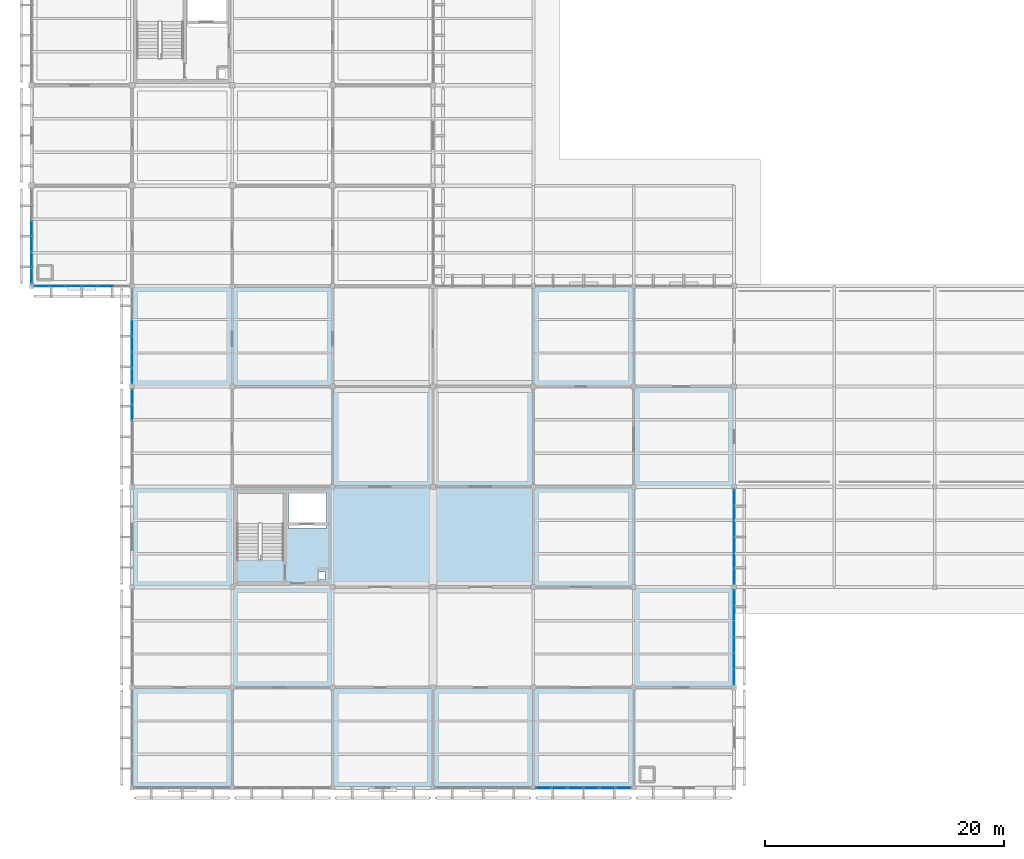
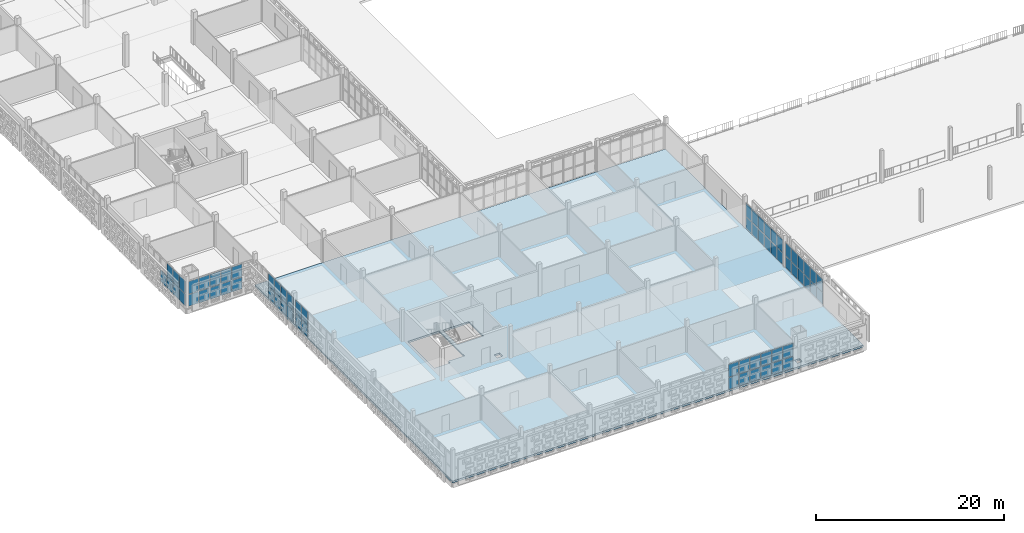
# One storey, part 77 of 166: 65 plates, 1 slab, 7 elements without a shape of their own.
"""IFC4 building model written with IfcOpenShell, lengths in metres."""

from ifc_helpers import new_model, si_unit, direction, frame, origin, origin_2d, place, context, subcontext, project, spatial, polyline, rectangle, outline, extrude, material, layer, layer_set, type_object, element, aggregate, save


model = new_model("IFC4")

# Units and contexts
model_context = context("Model", 3, precision=1e-05, world=origin(), true_north=direction((0.0, 1.0)))
body_context = subcontext(model_context, "Body", "Model", "MODEL_VIEW")
ifc_project = project(units=[si_unit("LENGTHUNIT", "METRE"), si_unit("AREAUNIT", "SQUARE_METRE"), si_unit("VOLUMEUNIT", "CUBIC_METRE"), si_unit("PLANEANGLEUNIT", "RADIAN"), si_unit("MASSUNIT", "GRAM", prefix="KILO")], contexts=[model_context])

# Site, building, storey
site_placement = place(None, origin())
site = spatial("IfcSite", under=ifc_project, at=site_placement, CompositionType="ELEMENT")
building_placement = place(site_placement, origin())
building = spatial("IfcBuilding", under=site, at=building_placement, Name="Varnapada Polytechnic", CompositionType="ELEMENT")
storey_placement = place(building_placement, frame((0.0, 0.0, 9.60009765625)))
storey = spatial("IfcBuildingStorey", under=building, at=storey_placement, Name="L02", CompositionType="ELEMENT", Elevation=9.60009765625)

# Curtain wall, plates
ifc_material_1 = material(Name="Double low-E laminated glass", Category="glass")
ifc_layer_1 = layer(ifc_material_1, 0.179931640625)
ifc_layer_set_1 = layer_set([ifc_layer_1], Name="Double low-E laminated glass")
curtain_wall_type_1 = type_object("IfcCurtainWallType", Name="Curtain Wall CW-03", PredefinedType="NOTDEFINED", material=ifc_layer_set_1)
curtain_wall_1_placement = place(storey_placement, origin())
curtain_wall_1 = element("IfcCurtainWall", 1, at=curtain_wall_1_placement, inside=storey, type_object=curtain_wall_type_1, Name="L02 unitised curtain wall CW-03 (128)", PredefinedType="NOTDEFINED")
ifc_layer_2 = layer(ifc_material_1, 0.031982421875)
ifc_layer_set_2 = layer_set([ifc_layer_2], Name="Double low-E laminated glass")
plate_type = type_object("IfcPlateType", Name="Curtain Panel PNL-02", PredefinedType="CURTAIN_PANEL", material=ifc_layer_set_2)
plate_1_placement = place(storey_placement, frame((6.197509765625, 42.0, 0.06494140625), z_axis=(0.0, 0.0, 1.0), x_axis=(-1.0, 0.0, 0.0)))
plate_1 = element("IfcPlate", 2, at=plate_1_placement, type_object=plate_type, Name="CW-03 panel 2.1", PredefinedType="CURTAIN_PANEL", context=body_context, shape_type="SweptSolid", body=[
    extrude(rectangle(XDim=1.27001953125, YDim=0.031982421875, at=origin_2d()), origin(), (0.0, 0.0, 1.0), 1.515380859375),
])
plate_2_placement = place(storey_placement, frame((6.197509765625, 42.0, 1.64501953125), z_axis=(0.0, 0.0, 1.0), x_axis=(-1.0, 0.0, 0.0)))
plate_2 = element("IfcPlate", 3, at=plate_2_placement, type_object=plate_type, Name="CW-03 panel 2.2", PredefinedType="CURTAIN_PANEL", context=body_context, shape_type="SweptSolid", body=[
    extrude(rectangle(XDim=1.27001953125, YDim=0.031982421875, at=origin_2d()), origin(), (0.0, 0.0, 1.0), 1.649658203125),
])
plate_3_placement = place(storey_placement, frame((4.862548828125, 42.0, 0.06494140625), z_axis=(0.0, 0.0, 1.0), x_axis=(-1.0, 0.0, 0.0)))
plate_3 = element("IfcPlate", 4, at=plate_3_placement, type_object=plate_type, Name="CW-03 panel 3.1", PredefinedType="CURTAIN_PANEL", context=body_context, shape_type="SweptSolid", body=[
    extrude(rectangle(XDim=1.27001953125, YDim=0.031982421875, at=origin_2d()), origin(), (0.0, 0.0, 1.0), 1.515380859375),
])
plate_4_placement = place(storey_placement, frame((4.862548828125, 42.0, 1.64501953125), z_axis=(0.0, 0.0, 1.0), x_axis=(-1.0, 0.0, 0.0)))
plate_4 = element("IfcPlate", 5, at=plate_4_placement, type_object=plate_type, Name="CW-03 panel 3.2", PredefinedType="CURTAIN_PANEL", context=body_context, shape_type="SweptSolid", body=[
    extrude(rectangle(XDim=1.27001953125, YDim=0.031982421875, at=origin_2d()), origin(), (0.0, 0.0, 1.0), 1.649658203125),
])
plate_5_placement = place(storey_placement, frame((3.527587890625, 42.0, 0.06494140625), z_axis=(0.0, 0.0, 1.0), x_axis=(-1.0, 0.0, 0.0)))
plate_5 = element("IfcPlate", 6, at=plate_5_placement, type_object=plate_type, Name="CW-03 panel 4.1", PredefinedType="CURTAIN_PANEL", context=body_context, shape_type="SweptSolid", body=[
    extrude(rectangle(XDim=1.27001953125, YDim=0.031982421875, at=origin_2d()), origin(), (0.0, 0.0, 1.0), 1.515380859375),
])
plate_6_placement = place(storey_placement, frame((3.527587890625, 42.0, 1.64501953125), z_axis=(0.0, 0.0, 1.0), x_axis=(-1.0, 0.0, 0.0)))
plate_6 = element("IfcPlate", 7, at=plate_6_placement, type_object=plate_type, Name="CW-03 panel 4.2", PredefinedType="CURTAIN_PANEL", context=body_context, shape_type="SweptSolid", body=[
    extrude(rectangle(XDim=1.27001953125, YDim=0.031982421875, at=origin_2d()), origin(), (0.0, 0.0, 1.0), 1.649658203125),
])
plate_7_placement = place(storey_placement, frame((2.1923828125, 42.0, 0.06494140625), z_axis=(0.0, 0.0, 1.0), x_axis=(-1.0, 0.0, 0.0)))
plate_7 = element("IfcPlate", 8, at=plate_7_placement, type_object=plate_type, Name="CW-03 panel 5.1", PredefinedType="CURTAIN_PANEL", context=body_context, shape_type="SweptSolid", body=[
    extrude(rectangle(XDim=1.27001953125, YDim=0.031982421875, at=origin_2d()), origin(), (0.0, 0.0, 1.0), 1.515380859375),
])
plate_8_placement = place(storey_placement, frame((2.1923828125, 42.0, 1.64501953125), z_axis=(0.0, 0.0, 1.0), x_axis=(-1.0, 0.0, 0.0)))
plate_8 = element("IfcPlate", 9, at=plate_8_placement, type_object=plate_type, Name="CW-03 panel 5.2", PredefinedType="CURTAIN_PANEL", context=body_context, shape_type="SweptSolid", body=[
    extrude(rectangle(XDim=1.27001953125, YDim=0.031982421875, at=origin_2d()), origin(), (0.0, 0.0, 1.0), 1.649658203125),
])
plate_9_placement = place(storey_placement, frame((0.873779296875, 42.0, 0.06494140625), z_axis=(0.0, 0.0, 1.0), x_axis=(-1.0, 0.0, 0.0)))
plate_9 = element("IfcPlate", 10, at=plate_9_placement, type_object=plate_type, Name="CW-03 panel 6.1", PredefinedType="CURTAIN_PANEL", context=body_context, shape_type="SweptSolid", body=[
    extrude(rectangle(XDim=1.237548828125, YDim=0.031982421875, at=origin_2d()), origin(), (0.0, 0.0, 1.0), 1.515380859375),
])
plate_10_placement = place(storey_placement, frame((0.873779296875, 42.0, 1.64501953125), z_axis=(0.0, 0.0, 1.0), x_axis=(-1.0, 0.0, 0.0)))
plate_10 = element("IfcPlate", 11, at=plate_10_placement, type_object=plate_type, Name="CW-03 panel 6.2", PredefinedType="CURTAIN_PANEL", context=body_context, shape_type="SweptSolid", body=[
    extrude(rectangle(XDim=1.237548828125, YDim=0.031982421875, at=origin_2d()), origin(), (0.0, 0.0, 1.0), 1.649658203125),
])
aggregate(curtain_wall_1, [plate_1, plate_2, plate_3, plate_4, plate_5, plate_6, plate_7, plate_8, plate_9, plate_10])

curtain_wall_2_placement = place(storey_placement, origin())
curtain_wall_2 = element("IfcCurtainWall", 12, at=curtain_wall_2_placement, inside=storey, type_object=curtain_wall_type_1, Name="L02 unitised curtain wall CW-03 (129)", PredefinedType="NOTDEFINED")
plate_11_placement = place(storey_placement, frame((0.0, 42.86962890625, 0.06494140625), z_axis=(0.0, 0.0, 1.0), x_axis=(0.0, 1.0, 0.0)))
plate_11 = element("IfcPlate", 13, at=plate_11_placement, type_object=plate_type, Name="CW-03 panel 1.1", PredefinedType="CURTAIN_PANEL", context=body_context, shape_type="SweptSolid", body=[
    extrude(rectangle(XDim=1.229248046875, YDim=0.031982421875, at=origin_2d()), origin(), (0.0, 0.0, 1.0), 1.515380859375),
])
plate_12_placement = place(storey_placement, frame((0.0, 42.86962890625, 1.64501953125), z_axis=(0.0, 0.0, 1.0), x_axis=(0.0, 1.0, 0.0)))
plate_12 = element("IfcPlate", 14, at=plate_12_placement, type_object=plate_type, Name="CW-03 panel 1.2", PredefinedType="CURTAIN_PANEL", context=body_context, shape_type="SweptSolid", body=[
    extrude(rectangle(XDim=1.229248046875, YDim=0.031982421875, at=origin_2d()), origin(), (0.0, 0.0, 1.0), 1.649658203125),
])
plate_13_placement = place(storey_placement, frame((0.0, 44.179931640625, 0.06494140625), z_axis=(0.0, 0.0, 1.0), x_axis=(0.0, 1.0, 0.0)))
plate_13 = element("IfcPlate", 15, at=plate_13_placement, type_object=plate_type, Name="CW-03 panel 2.1", PredefinedType="CURTAIN_PANEL", context=body_context, shape_type="SweptSolid", body=[
    extrude(rectangle(XDim=1.26171875, YDim=0.031982421875, at=origin_2d()), origin(), (0.0, 0.0, 1.0), 1.515380859375),
])
plate_14_placement = place(storey_placement, frame((0.0, 44.179931640625, 1.64501953125), z_axis=(0.0, 0.0, 1.0), x_axis=(0.0, 1.0, 0.0)))
plate_14 = element("IfcPlate", 16, at=plate_14_placement, type_object=plate_type, Name="CW-03 panel 2.2", PredefinedType="CURTAIN_PANEL", context=body_context, shape_type="SweptSolid", body=[
    extrude(rectangle(XDim=1.26171875, YDim=0.031982421875, at=origin_2d()), origin(), (0.0, 0.0, 1.0), 1.649658203125),
])
plate_15_placement = place(storey_placement, frame((0.0, 45.506591796875, 0.06494140625), z_axis=(0.0, 0.0, 1.0), x_axis=(0.0, 1.0, 0.0)))
plate_15 = element("IfcPlate", 17, at=plate_15_placement, type_object=plate_type, Name="CW-03 panel 3.1", PredefinedType="CURTAIN_PANEL", context=body_context, shape_type="SweptSolid", body=[
    extrude(rectangle(XDim=1.26171875, YDim=0.031982421875, at=origin_2d()), origin(), (0.0, 0.0, 1.0), 1.515380859375),
])
plate_16_placement = place(storey_placement, frame((0.0, 45.506591796875, 1.64501953125), z_axis=(0.0, 0.0, 1.0), x_axis=(0.0, 1.0, 0.0)))
plate_16 = element("IfcPlate", 18, at=plate_16_placement, type_object=plate_type, Name="CW-03 panel 3.2", PredefinedType="CURTAIN_PANEL", context=body_context, shape_type="SweptSolid", body=[
    extrude(rectangle(XDim=1.26171875, YDim=0.031982421875, at=origin_2d()), origin(), (0.0, 0.0, 1.0), 1.649658203125),
])
plate_17_placement = place(storey_placement, frame((0.0, 46.833251953125, 0.06494140625), z_axis=(0.0, 0.0, 1.0), x_axis=(0.0, 1.0, 0.0)))
plate_17 = element("IfcPlate", 19, at=plate_17_placement, type_object=plate_type, Name="CW-03 panel 4.1", PredefinedType="CURTAIN_PANEL", context=body_context, shape_type="SweptSolid", body=[
    extrude(rectangle(XDim=1.26171875, YDim=0.031982421875, at=origin_2d()), origin(), (0.0, 0.0, 1.0), 1.515380859375),
])
aggregate(curtain_wall_2, [plate_11, plate_12, plate_13, plate_14, plate_15, plate_16, plate_17])

curtain_wall_3_placement = place(storey_placement, origin())
curtain_wall_3 = element("IfcCurtainWall", 20, at=curtain_wall_3_placement, inside=storey, type_object=curtain_wall_type_1, Name="L02 unitised curtain wall CW-03 (139)", PredefinedType="NOTDEFINED")
plate_18_placement = place(storey_placement, frame((8.39990234375, 31.39501953125, 0.06494140625), z_axis=(0.0, 0.0, 1.0), x_axis=(0.0, 1.0, 0.0)))
plate_18 = element("IfcPlate", 21, at=plate_18_placement, type_object=plate_type, Name="CW-03 panel 5.1", PredefinedType="CURTAIN_PANEL", context=body_context, shape_type="SweptSolid", body=[
    extrude(rectangle(XDim=1.264892578125, YDim=0.031982421875, at=origin_2d()), origin(), (0.0, 0.0, 1.0), 1.515380859375),
])
plate_19_placement = place(storey_placement, frame((8.39990234375, 31.39501953125, 1.64501953125), z_axis=(0.0, 0.0, 1.0), x_axis=(0.0, 1.0, 0.0)))
plate_19 = element("IfcPlate", 22, at=plate_19_placement, type_object=plate_type, Name="CW-03 panel 5.2", PredefinedType="CURTAIN_PANEL", context=body_context, shape_type="SweptSolid", body=[
    extrude(rectangle(XDim=1.264892578125, YDim=0.031982421875, at=origin_2d()), origin(), (0.0, 0.0, 1.0), 1.649658203125),
])
plate_20_placement = place(storey_placement, frame((8.39990234375, 32.708740234375, 0.06494140625), z_axis=(0.0, 0.0, 1.0), x_axis=(0.0, 1.0, 0.0)))
plate_20 = element("IfcPlate", 23, at=plate_20_placement, type_object=plate_type, Name="CW-03 panel 6.1", PredefinedType="CURTAIN_PANEL", context=body_context, shape_type="SweptSolid", body=[
    extrude(rectangle(XDim=1.232421875, YDim=0.031982421875, at=origin_2d()), origin(), (0.0, 0.0, 1.0), 1.515380859375),
])
plate_21_placement = place(storey_placement, frame((8.39990234375, 32.708740234375, 1.64501953125), z_axis=(0.0, 0.0, 1.0), x_axis=(0.0, 1.0, 0.0)))
plate_21 = element("IfcPlate", 24, at=plate_21_placement, type_object=plate_type, Name="CW-03 panel 6.2", PredefinedType="CURTAIN_PANEL", context=body_context, shape_type="SweptSolid", body=[
    extrude(rectangle(XDim=1.232421875, YDim=0.031982421875, at=origin_2d()), origin(), (0.0, 0.0, 1.0), 1.649658203125),
])
aggregate(curtain_wall_3, [plate_18, plate_19, plate_20, plate_21])

curtain_wall_4_placement = place(storey_placement, origin())
curtain_wall_4 = element("IfcCurtainWall", 25, at=curtain_wall_4_placement, inside=storey, type_object=curtain_wall_type_1, Name="L02 unitised curtain wall CW-03 (140)", PredefinedType="NOTDEFINED")
plate_22_placement = place(storey_placement, frame((8.39990234375, 34.4921875, 0.06494140625), z_axis=(0.0, 0.0, 1.0), x_axis=(0.0, 1.0, 0.0)))
plate_22 = element("IfcPlate", 26, at=plate_22_placement, type_object=plate_type, Name="CW-03 panel 1.1", PredefinedType="CURTAIN_PANEL", context=body_context, shape_type="SweptSolid", body=[
    extrude(rectangle(XDim=1.234130859375, YDim=0.031982421875, at=origin_2d()), origin(), (0.0, 0.0, 1.0), 1.515380859375),
])
plate_23_placement = place(storey_placement, frame((8.39990234375, 34.4921875, 1.64501953125), z_axis=(0.0, 0.0, 1.0), x_axis=(0.0, 1.0, 0.0)))
plate_23 = element("IfcPlate", 27, at=plate_23_placement, type_object=plate_type, Name="CW-03 panel 1.2", PredefinedType="CURTAIN_PANEL", context=body_context, shape_type="SweptSolid", body=[
    extrude(rectangle(XDim=1.234130859375, YDim=0.031982421875, at=origin_2d()), origin(), (0.0, 0.0, 1.0), 1.649658203125),
])
plate_24_placement = place(storey_placement, frame((8.39990234375, 35.8076171875, 0.06494140625), z_axis=(0.0, 0.0, 1.0), x_axis=(0.0, 1.0, 0.0)))
plate_24 = element("IfcPlate", 28, at=plate_24_placement, type_object=plate_type, Name="CW-03 panel 2.1", PredefinedType="CURTAIN_PANEL", context=body_context, shape_type="SweptSolid", body=[
    extrude(rectangle(XDim=1.2666015625, YDim=0.031982421875, at=origin_2d()), origin(), (0.0, 0.0, 1.0), 1.515380859375),
])
plate_25_placement = place(storey_placement, frame((8.39990234375, 35.8076171875, 1.64501953125), z_axis=(0.0, 0.0, 1.0), x_axis=(0.0, 1.0, 0.0)))
plate_25 = element("IfcPlate", 29, at=plate_25_placement, type_object=plate_type, Name="CW-03 panel 2.2", PredefinedType="CURTAIN_PANEL", context=body_context, shape_type="SweptSolid", body=[
    extrude(rectangle(XDim=1.2666015625, YDim=0.031982421875, at=origin_2d()), origin(), (0.0, 0.0, 1.0), 1.649658203125),
])
plate_26_placement = place(storey_placement, frame((8.39990234375, 37.13916015625, 0.06494140625), z_axis=(0.0, 0.0, 1.0), x_axis=(0.0, 1.0, 0.0)))
plate_26 = element("IfcPlate", 30, at=plate_26_placement, type_object=plate_type, Name="CW-03 panel 3.1", PredefinedType="CURTAIN_PANEL", context=body_context, shape_type="SweptSolid", body=[
    extrude(rectangle(XDim=1.2666015625, YDim=0.031982421875, at=origin_2d()), origin(), (0.0, 0.0, 1.0), 1.515380859375),
])
plate_27_placement = place(storey_placement, frame((8.39990234375, 37.13916015625, 1.64501953125), z_axis=(0.0, 0.0, 1.0), x_axis=(0.0, 1.0, 0.0)))
plate_27 = element("IfcPlate", 31, at=plate_27_placement, type_object=plate_type, Name="CW-03 panel 3.2", PredefinedType="CURTAIN_PANEL", context=body_context, shape_type="SweptSolid", body=[
    extrude(rectangle(XDim=1.2666015625, YDim=0.031982421875, at=origin_2d()), origin(), (0.0, 0.0, 1.0), 1.649658203125),
])
plate_28_placement = place(storey_placement, frame((8.39990234375, 38.470947265625, 0.06494140625), z_axis=(0.0, 0.0, 1.0), x_axis=(0.0, 1.0, 0.0)))
plate_28 = element("IfcPlate", 32, at=plate_28_placement, type_object=plate_type, Name="CW-03 panel 4.1", PredefinedType="CURTAIN_PANEL", context=body_context, shape_type="SweptSolid", body=[
    extrude(rectangle(XDim=1.2666015625, YDim=0.031982421875, at=origin_2d()), origin(), (0.0, 0.0, 1.0), 1.515380859375),
])
plate_29_placement = place(storey_placement, frame((8.39990234375, 38.470947265625, 1.64501953125), z_axis=(0.0, 0.0, 1.0), x_axis=(0.0, 1.0, 0.0)))
plate_29 = element("IfcPlate", 33, at=plate_29_placement, type_object=plate_type, Name="CW-03 panel 4.2", PredefinedType="CURTAIN_PANEL", context=body_context, shape_type="SweptSolid", body=[
    extrude(rectangle(XDim=1.2666015625, YDim=0.031982421875, at=origin_2d()), origin(), (0.0, 0.0, 1.0), 1.649658203125),
])
aggregate(curtain_wall_4, [plate_22, plate_23, plate_24, plate_25, plate_26, plate_27, plate_28, plate_29])

curtain_wall_5_placement = place(storey_placement, origin())
curtain_wall_5 = element("IfcCurtainWall", 34, at=curtain_wall_5_placement, inside=storey, type_object=curtain_wall_type_1, Name="L02 unitised curtain wall CW-03 (153)", PredefinedType="NOTDEFINED")
plate_30_placement = place(storey_placement, frame((49.53369140625, 0.0, 0.06494140625), z_axis=(0.0, 0.0, 1.0), x_axis=(-1.0, 0.0, 0.0)))
plate_30 = element("IfcPlate", 35, at=plate_30_placement, type_object=plate_type, Name="CW-03 panel 1.1", PredefinedType="CURTAIN_PANEL", context=body_context, shape_type="SweptSolid", body=[
    extrude(rectangle(XDim=1.242431640625, YDim=0.031982421875, at=origin_2d()), origin(), (0.0, 0.0, 1.0), 1.515380859375),
])
plate_31_placement = place(storey_placement, frame((49.53369140625, 0.0, 1.64501953125), z_axis=(0.0, 0.0, 1.0), x_axis=(-1.0, 0.0, 0.0)))
plate_31 = element("IfcPlate", 36, at=plate_31_placement, type_object=plate_type, Name="CW-03 panel 1.2", PredefinedType="CURTAIN_PANEL", context=body_context, shape_type="SweptSolid", body=[
    extrude(rectangle(XDim=1.242431640625, YDim=0.031982421875, at=origin_2d()), origin(), (0.0, 0.0, 1.0), 1.649658203125),
])
plate_32_placement = place(storey_placement, frame((48.2099609375, 0.0, 0.06494140625), z_axis=(0.0, 0.0, 1.0), x_axis=(-1.0, 0.0, 0.0)))
plate_32 = element("IfcPlate", 37, at=plate_32_placement, type_object=plate_type, Name="CW-03 panel 2.1", PredefinedType="CURTAIN_PANEL", context=body_context, shape_type="SweptSolid", body=[
    extrude(rectangle(XDim=1.27490234375, YDim=0.031982421875, at=origin_2d()), origin(), (0.0, 0.0, 1.0), 1.515380859375),
])
plate_33_placement = place(storey_placement, frame((48.2099609375, 0.0, 1.64501953125), z_axis=(0.0, 0.0, 1.0), x_axis=(-1.0, 0.0, 0.0)))
plate_33 = element("IfcPlate", 38, at=plate_33_placement, type_object=plate_type, Name="CW-03 panel 2.2", PredefinedType="CURTAIN_PANEL", context=body_context, shape_type="SweptSolid", body=[
    extrude(rectangle(XDim=1.27490234375, YDim=0.031982421875, at=origin_2d()), origin(), (0.0, 0.0, 1.0), 1.649658203125),
])
plate_34_placement = place(storey_placement, frame((46.8701171875, 0.0, 0.06494140625), z_axis=(0.0, 0.0, 1.0), x_axis=(-1.0, 0.0, 0.0)))
plate_34 = element("IfcPlate", 39, at=plate_34_placement, type_object=plate_type, Name="CW-03 panel 3.1", PredefinedType="CURTAIN_PANEL", context=body_context, shape_type="SweptSolid", body=[
    extrude(rectangle(XDim=1.27490234375, YDim=0.031982421875, at=origin_2d()), origin(), (0.0, 0.0, 1.0), 1.515380859375),
])
plate_35_placement = place(storey_placement, frame((46.8701171875, 0.0, 1.64501953125), z_axis=(0.0, 0.0, 1.0), x_axis=(-1.0, 0.0, 0.0)))
plate_35 = element("IfcPlate", 40, at=plate_35_placement, type_object=plate_type, Name="CW-03 panel 3.2", PredefinedType="CURTAIN_PANEL", context=body_context, shape_type="SweptSolid", body=[
    extrude(rectangle(XDim=1.27490234375, YDim=0.031982421875, at=origin_2d()), origin(), (0.0, 0.0, 1.0), 1.649658203125),
])
plate_36_placement = place(storey_placement, frame((45.530029296875, 0.0, 0.06494140625), z_axis=(0.0, 0.0, 1.0), x_axis=(-1.0, 0.0, 0.0)))
plate_36 = element("IfcPlate", 41, at=plate_36_placement, type_object=plate_type, Name="CW-03 panel 4.1", PredefinedType="CURTAIN_PANEL", context=body_context, shape_type="SweptSolid", body=[
    extrude(rectangle(XDim=1.27490234375, YDim=0.031982421875, at=origin_2d()), origin(), (0.0, 0.0, 1.0), 1.515380859375),
])
plate_37_placement = place(storey_placement, frame((45.530029296875, 0.0, 1.64501953125), z_axis=(0.0, 0.0, 1.0), x_axis=(-1.0, 0.0, 0.0)))
plate_37 = element("IfcPlate", 42, at=plate_37_placement, type_object=plate_type, Name="CW-03 panel 4.2", PredefinedType="CURTAIN_PANEL", context=body_context, shape_type="SweptSolid", body=[
    extrude(rectangle(XDim=1.27490234375, YDim=0.031982421875, at=origin_2d()), origin(), (0.0, 0.0, 1.0), 1.649658203125),
])
plate_38_placement = place(storey_placement, frame((44.18994140625, 0.0, 0.06494140625), z_axis=(0.0, 0.0, 1.0), x_axis=(-1.0, 0.0, 0.0)))
plate_38 = element("IfcPlate", 43, at=plate_38_placement, type_object=plate_type, Name="CW-03 panel 5.1", PredefinedType="CURTAIN_PANEL", context=body_context, shape_type="SweptSolid", body=[
    extrude(rectangle(XDim=1.27490234375, YDim=0.031982421875, at=origin_2d()), origin(), (0.0, 0.0, 1.0), 1.515380859375),
])
plate_39_placement = place(storey_placement, frame((44.18994140625, 0.0, 1.64501953125), z_axis=(0.0, 0.0, 1.0), x_axis=(-1.0, 0.0, 0.0)))
plate_39 = element("IfcPlate", 44, at=plate_39_placement, type_object=plate_type, Name="CW-03 panel 5.2", PredefinedType="CURTAIN_PANEL", context=body_context, shape_type="SweptSolid", body=[
    extrude(rectangle(XDim=1.27490234375, YDim=0.031982421875, at=origin_2d()), origin(), (0.0, 0.0, 1.0), 1.649658203125),
])
plate_40_placement = place(storey_placement, frame((42.8662109375, 0.0, 0.06494140625), z_axis=(0.0, 0.0, 1.0), x_axis=(-1.0, 0.0, 0.0)))
plate_40 = element("IfcPlate", 45, at=plate_40_placement, type_object=plate_type, Name="CW-03 panel 6.1", PredefinedType="CURTAIN_PANEL", context=body_context, shape_type="SweptSolid", body=[
    extrude(rectangle(XDim=1.242431640625, YDim=0.031982421875, at=origin_2d()), origin(), (0.0, 0.0, 1.0), 1.515380859375),
])
plate_41_placement = place(storey_placement, frame((42.8662109375, 0.0, 1.64501953125), z_axis=(0.0, 0.0, 1.0), x_axis=(-1.0, 0.0, 0.0)))
plate_41 = element("IfcPlate", 46, at=plate_41_placement, type_object=plate_type, Name="CW-03 panel 6.2", PredefinedType="CURTAIN_PANEL", context=body_context, shape_type="SweptSolid", body=[
    extrude(rectangle(XDim=1.242431640625, YDim=0.031982421875, at=origin_2d()), origin(), (0.0, 0.0, 1.0), 1.649658203125),
])
aggregate(curtain_wall_5, [plate_30, plate_31, plate_32, plate_33, plate_34, plate_35, plate_36, plate_37, plate_38, plate_39, plate_40, plate_41])

ifc_layer_3 = layer(ifc_material_1, 0.179931640625)
ifc_layer_set_3 = layer_set([ifc_layer_3], Name="Double low-E laminated glass")
curtain_wall_type_2 = type_object("IfcCurtainWallType", Name="Curtain Wall CW-04", PredefinedType="NOTDEFINED", material=ifc_layer_set_3)
curtain_wall_6_placement = place(storey_placement, origin())
curtain_wall_6 = element("IfcCurtainWall", 47, at=curtain_wall_6_placement, inside=storey, type_object=curtain_wall_type_2, Name="L02 unitised curtain wall CW-04 (155)", PredefinedType="NOTDEFINED")
plate_42_placement = place(storey_placement, frame((58.800048828125, 15.9169921875, 0.06494140625), z_axis=(0.0, 0.0, 1.0), x_axis=(0.0, -1.0, 0.0)))
plate_42 = element("IfcPlate", 48, at=plate_42_placement, type_object=plate_type, Name="CW-04 panel 1.1", PredefinedType="CURTAIN_PANEL", context=body_context, shape_type="SweptSolid", body=[
    extrude(rectangle(XDim=1.23583984375, YDim=0.031982421875, at=origin_2d()), origin(), (0.0, 0.0, 1.0), 1.515380859375),
])
plate_43_placement = place(storey_placement, frame((58.800048828125, 15.9169921875, 1.64501953125), z_axis=(0.0, 0.0, 1.0), x_axis=(0.0, -1.0, 0.0)))
plate_43 = element("IfcPlate", 49, at=plate_43_placement, type_object=plate_type, Name="CW-04 panel 1.2", PredefinedType="CURTAIN_PANEL", context=body_context, shape_type="SweptSolid", body=[
    extrude(rectangle(XDim=1.23583984375, YDim=0.031982421875, at=origin_2d()), origin(), (0.0, 0.0, 1.0), 1.649658203125),
])
plate_44_placement = place(storey_placement, frame((58.800048828125, 14.60009765625, 0.06494140625), z_axis=(0.0, 0.0, 1.0), x_axis=(0.0, -1.0, 0.0)))
plate_44 = element("IfcPlate", 50, at=plate_44_placement, type_object=plate_type, Name="CW-04 panel 2.1", PredefinedType="CURTAIN_PANEL", context=body_context, shape_type="SweptSolid", body=[
    extrude(rectangle(XDim=1.268310546875, YDim=0.031982421875, at=origin_2d()), origin(), (0.0, 0.0, 1.0), 1.515380859375),
])
plate_45_placement = place(storey_placement, frame((58.800048828125, 14.60009765625, 1.64501953125), z_axis=(0.0, 0.0, 1.0), x_axis=(0.0, -1.0, 0.0)))
plate_45 = element("IfcPlate", 51, at=plate_45_placement, type_object=plate_type, Name="CW-04 panel 2.2", PredefinedType="CURTAIN_PANEL", context=body_context, shape_type="SweptSolid", body=[
    extrude(rectangle(XDim=1.268310546875, YDim=0.031982421875, at=origin_2d()), origin(), (0.0, 0.0, 1.0), 1.649658203125),
])
plate_46_placement = place(storey_placement, frame((58.800048828125, 13.2666015625, 0.06494140625), z_axis=(0.0, 0.0, 1.0), x_axis=(0.0, -1.0, 0.0)))
plate_46 = element("IfcPlate", 52, at=plate_46_placement, type_object=plate_type, Name="CW-04 panel 3.1", PredefinedType="CURTAIN_PANEL", context=body_context, shape_type="SweptSolid", body=[
    extrude(rectangle(XDim=1.268310546875, YDim=0.031982421875, at=origin_2d()), origin(), (0.0, 0.0, 1.0), 1.515380859375),
])
plate_47_placement = place(storey_placement, frame((58.800048828125, 13.2666015625, 1.64501953125), z_axis=(0.0, 0.0, 1.0), x_axis=(0.0, -1.0, 0.0)))
plate_47 = element("IfcPlate", 53, at=plate_47_placement, type_object=plate_type, Name="CW-04 panel 3.2", PredefinedType="CURTAIN_PANEL", context=body_context, shape_type="SweptSolid", body=[
    extrude(rectangle(XDim=1.268310546875, YDim=0.031982421875, at=origin_2d()), origin(), (0.0, 0.0, 1.0), 1.649658203125),
])
plate_48_placement = place(storey_placement, frame((58.800048828125, 11.933349609375, 0.06494140625), z_axis=(0.0, 0.0, 1.0), x_axis=(0.0, -1.0, 0.0)))
plate_48 = element("IfcPlate", 54, at=plate_48_placement, type_object=plate_type, Name="CW-04 panel 4.1", PredefinedType="CURTAIN_PANEL", context=body_context, shape_type="SweptSolid", body=[
    extrude(rectangle(XDim=1.268310546875, YDim=0.031982421875, at=origin_2d()), origin(), (0.0, 0.0, 1.0), 1.515380859375),
])
plate_49_placement = place(storey_placement, frame((58.800048828125, 11.933349609375, 1.64501953125), z_axis=(0.0, 0.0, 1.0), x_axis=(0.0, -1.0, 0.0)))
plate_49 = element("IfcPlate", 55, at=plate_49_placement, type_object=plate_type, Name="CW-04 panel 4.2", PredefinedType="CURTAIN_PANEL", context=body_context, shape_type="SweptSolid", body=[
    extrude(rectangle(XDim=1.268310546875, YDim=0.031982421875, at=origin_2d()), origin(), (0.0, 0.0, 1.0), 1.649658203125),
])
plate_50_placement = place(storey_placement, frame((58.800048828125, 10.60009765625, 0.06494140625), z_axis=(0.0, 0.0, 1.0), x_axis=(0.0, -1.0, 0.0)))
plate_50 = element("IfcPlate", 56, at=plate_50_placement, type_object=plate_type, Name="CW-04 panel 5.1", PredefinedType="CURTAIN_PANEL", context=body_context, shape_type="SweptSolid", body=[
    extrude(rectangle(XDim=1.268310546875, YDim=0.031982421875, at=origin_2d()), origin(), (0.0, 0.0, 1.0), 1.515380859375),
])
plate_51_placement = place(storey_placement, frame((58.800048828125, 10.60009765625, 1.64501953125), z_axis=(0.0, 0.0, 1.0), x_axis=(0.0, -1.0, 0.0)))
plate_51 = element("IfcPlate", 57, at=plate_51_placement, type_object=plate_type, Name="CW-04 panel 5.2", PredefinedType="CURTAIN_PANEL", context=body_context, shape_type="SweptSolid", body=[
    extrude(rectangle(XDim=1.268310546875, YDim=0.031982421875, at=origin_2d()), origin(), (0.0, 0.0, 1.0), 1.649658203125),
])
plate_52_placement = place(storey_placement, frame((58.800048828125, 9.282958984375, 0.06494140625), z_axis=(0.0, 0.0, 1.0), x_axis=(0.0, -1.0, 0.0)))
plate_52 = element("IfcPlate", 58, at=plate_52_placement, type_object=plate_type, Name="CW-04 panel 6.1", PredefinedType="CURTAIN_PANEL", context=body_context, shape_type="SweptSolid", body=[
    extrude(rectangle(XDim=1.23583984375, YDim=0.031982421875, at=origin_2d()), origin(), (0.0, 0.0, 1.0), 1.515380859375),
])
plate_53_placement = place(storey_placement, frame((58.800048828125, 9.282958984375, 1.64501953125), z_axis=(0.0, 0.0, 1.0), x_axis=(0.0, -1.0, 0.0)))
plate_53 = element("IfcPlate", 59, at=plate_53_placement, type_object=plate_type, Name="CW-04 panel 6.2", PredefinedType="CURTAIN_PANEL", context=body_context, shape_type="SweptSolid", body=[
    extrude(rectangle(XDim=1.23583984375, YDim=0.031982421875, at=origin_2d()), origin(), (0.0, 0.0, 1.0), 1.649658203125),
])
aggregate(curtain_wall_6, [plate_42, plate_43, plate_44, plate_45, plate_46, plate_47, plate_48, plate_49, plate_50, plate_51, plate_52, plate_53])

curtain_wall_7_placement = place(storey_placement, origin())
curtain_wall_7 = element("IfcCurtainWall", 60, at=curtain_wall_7_placement, inside=storey, type_object=curtain_wall_type_2, Name="L02 unitised curtain wall CW-04 (156)", PredefinedType="NOTDEFINED")
plate_54_placement = place(storey_placement, frame((58.800048828125, 24.317138671875, 0.06494140625), z_axis=(0.0, 0.0, 1.0), x_axis=(0.0, -1.0, 0.0)))
plate_54 = element("IfcPlate", 61, at=plate_54_placement, type_object=plate_type, Name="CW-04 panel 1.1", PredefinedType="CURTAIN_PANEL", context=body_context, shape_type="SweptSolid", body=[
    extrude(rectangle(XDim=1.23583984375, YDim=0.031982421875, at=origin_2d()), origin(), (0.0, 0.0, 1.0), 1.515380859375),
])
plate_55_placement = place(storey_placement, frame((58.800048828125, 24.317138671875, 1.64501953125), z_axis=(0.0, 0.0, 1.0), x_axis=(0.0, -1.0, 0.0)))
plate_55 = element("IfcPlate", 62, at=plate_55_placement, type_object=plate_type, Name="CW-04 panel 1.2", PredefinedType="CURTAIN_PANEL", context=body_context, shape_type="SweptSolid", body=[
    extrude(rectangle(XDim=1.23583984375, YDim=0.031982421875, at=origin_2d()), origin(), (0.0, 0.0, 1.0), 1.649658203125),
])
plate_56_placement = place(storey_placement, frame((58.800048828125, 23.0, 0.06494140625), z_axis=(0.0, 0.0, 1.0), x_axis=(0.0, -1.0, 0.0)))
plate_56 = element("IfcPlate", 63, at=plate_56_placement, type_object=plate_type, Name="CW-04 panel 2.1", PredefinedType="CURTAIN_PANEL", context=body_context, shape_type="SweptSolid", body=[
    extrude(rectangle(XDim=1.268310546875, YDim=0.031982421875, at=origin_2d()), origin(), (0.0, 0.0, 1.0), 1.515380859375),
])
plate_57_placement = place(storey_placement, frame((58.800048828125, 23.0, 1.64501953125), z_axis=(0.0, 0.0, 1.0), x_axis=(0.0, -1.0, 0.0)))
plate_57 = element("IfcPlate", 64, at=plate_57_placement, type_object=plate_type, Name="CW-04 panel 2.2", PredefinedType="CURTAIN_PANEL", context=body_context, shape_type="SweptSolid", body=[
    extrude(rectangle(XDim=1.268310546875, YDim=0.031982421875, at=origin_2d()), origin(), (0.0, 0.0, 1.0), 1.649658203125),
])
plate_58_placement = place(storey_placement, frame((58.800048828125, 21.666748046875, 0.06494140625), z_axis=(0.0, 0.0, 1.0), x_axis=(0.0, -1.0, 0.0)))
plate_58 = element("IfcPlate", 65, at=plate_58_placement, type_object=plate_type, Name="CW-04 panel 3.1", PredefinedType="CURTAIN_PANEL", context=body_context, shape_type="SweptSolid", body=[
    extrude(rectangle(XDim=1.268310546875, YDim=0.031982421875, at=origin_2d()), origin(), (0.0, 0.0, 1.0), 1.515380859375),
])
plate_59_placement = place(storey_placement, frame((58.800048828125, 21.666748046875, 1.64501953125), z_axis=(0.0, 0.0, 1.0), x_axis=(0.0, -1.0, 0.0)))
plate_59 = element("IfcPlate", 66, at=plate_59_placement, type_object=plate_type, Name="CW-04 panel 3.2", PredefinedType="CURTAIN_PANEL", context=body_context, shape_type="SweptSolid", body=[
    extrude(rectangle(XDim=1.268310546875, YDim=0.031982421875, at=origin_2d()), origin(), (0.0, 0.0, 1.0), 1.649658203125),
])
plate_60_placement = place(storey_placement, frame((58.800048828125, 20.333251953125, 0.06494140625), z_axis=(0.0, 0.0, 1.0), x_axis=(0.0, -1.0, 0.0)))
plate_60 = element("IfcPlate", 67, at=plate_60_placement, type_object=plate_type, Name="CW-04 panel 4.1", PredefinedType="CURTAIN_PANEL", context=body_context, shape_type="SweptSolid", body=[
    extrude(rectangle(XDim=1.268310546875, YDim=0.031982421875, at=origin_2d()), origin(), (0.0, 0.0, 1.0), 1.515380859375),
])
plate_61_placement = place(storey_placement, frame((58.800048828125, 20.333251953125, 1.64501953125), z_axis=(0.0, 0.0, 1.0), x_axis=(0.0, -1.0, 0.0)))
plate_61 = element("IfcPlate", 68, at=plate_61_placement, type_object=plate_type, Name="CW-04 panel 4.2", PredefinedType="CURTAIN_PANEL", context=body_context, shape_type="SweptSolid", body=[
    extrude(rectangle(XDim=1.268310546875, YDim=0.031982421875, at=origin_2d()), origin(), (0.0, 0.0, 1.0), 1.649658203125),
])
plate_62_placement = place(storey_placement, frame((58.800048828125, 19.0, 0.06494140625), z_axis=(0.0, 0.0, 1.0), x_axis=(0.0, -1.0, 0.0)))
plate_62 = element("IfcPlate", 69, at=plate_62_placement, type_object=plate_type, Name="CW-04 panel 5.1", PredefinedType="CURTAIN_PANEL", context=body_context, shape_type="SweptSolid", body=[
    extrude(rectangle(XDim=1.268310546875, YDim=0.031982421875, at=origin_2d()), origin(), (0.0, 0.0, 1.0), 1.515380859375),
])
plate_63_placement = place(storey_placement, frame((58.800048828125, 19.0, 1.64501953125), z_axis=(0.0, 0.0, 1.0), x_axis=(0.0, -1.0, 0.0)))
plate_63 = element("IfcPlate", 70, at=plate_63_placement, type_object=plate_type, Name="CW-04 panel 5.2", PredefinedType="CURTAIN_PANEL", context=body_context, shape_type="SweptSolid", body=[
    extrude(rectangle(XDim=1.268310546875, YDim=0.031982421875, at=origin_2d()), origin(), (0.0, 0.0, 1.0), 1.649658203125),
])
plate_64_placement = place(storey_placement, frame((58.800048828125, 17.682861328125, 0.06494140625), z_axis=(0.0, 0.0, 1.0), x_axis=(0.0, -1.0, 0.0)))
plate_64 = element("IfcPlate", 71, at=plate_64_placement, type_object=plate_type, Name="CW-04 panel 6.1", PredefinedType="CURTAIN_PANEL", context=body_context, shape_type="SweptSolid", body=[
    extrude(rectangle(XDim=1.23583984375, YDim=0.031982421875, at=origin_2d()), origin(), (0.0, 0.0, 1.0), 1.515380859375),
])
plate_65_placement = place(storey_placement, frame((58.800048828125, 17.682861328125, 1.64501953125), z_axis=(0.0, 0.0, 1.0), x_axis=(0.0, -1.0, 0.0)))
plate_65 = element("IfcPlate", 72, at=plate_65_placement, type_object=plate_type, Name="CW-04 panel 6.2", PredefinedType="CURTAIN_PANEL", context=body_context, shape_type="SweptSolid", body=[
    extrude(rectangle(XDim=1.23583984375, YDim=0.031982421875, at=origin_2d()), origin(), (0.0, 0.0, 1.0), 1.649658203125),
])
aggregate(curtain_wall_7, [plate_54, plate_55, plate_56, plate_57, plate_58, plate_59, plate_60, plate_61, plate_62, plate_63, plate_64, plate_65])

# Slab
ifc_material_2 = material(Name="Cross-laminated timber CLT C24", Category="wood")
ifc_layer_4 = layer(ifc_material_2, 0.239990234375)
ifc_layer_set_4 = layer_set([ifc_layer_4], Name="Cross-laminated timber CLT C24")
slab_type = type_object("IfcSlabType", Name="L02/L03 laboratory CLT composite slab SL-06", PredefinedType="FLOOR", material=ifc_layer_set_4)
slab_placement = place(storey_placement, frame((0.0, 0.0, -0.239990234375)))
element("IfcSlab", 73, at=slab_placement, inside=storey, type_object=slab_type, Name="L02 V2 slab 1.1", PredefinedType="FLOOR", context=body_context, shape_type="SweptSolid", body=[
    extrude(outline(polyline([(8.39990234375, 25.199951171875), (8.39990234375, 33.60009765625), (8.39990234375, 42.0), (16.800048828125, 42.0), (25.199951171875, 42.0), (33.60009765625, 42.0), (42.0, 42.0), (50.39990234375, 42.0), (58.800048828125, 42.0), (58.800048828125, 33.60009765625), (58.800048828125, 25.199951171875), (58.800048828125, 16.800048828125), (58.800048828125, 8.39990234375), (58.800048828125, 0.0), (50.39990234375, 0.0), (42.0, 0.0), (33.60009765625, 0.0), (25.199951171875, 0.0), (16.800048828125, 0.0), (8.39990234375, 0.0), (8.39990234375, 8.39990234375), (8.39990234375, 16.800048828125), (8.39990234375, 25.199951171875)]), holes=[polyline([(17.199951171875, 19.110107421875), (19.14990234375, 19.110107421875), (19.14990234375, 19.510009765625), (21.10009765625, 19.510009765625), (21.10009765625, 24.800048828125), (17.199951171875, 24.800048828125), (17.199951171875, 19.110107421875)]), polyline([(21.5, 21.699951171875), (24.699951171875, 21.699951171875), (24.699951171875, 24.75), (21.5, 24.75), (21.5, 21.699951171875)]), polyline([(23.949951171875, 17.419921875), (24.60009765625, 17.419921875), (24.60009765625, 18.070068359375), (23.949951171875, 18.070068359375), (23.949951171875, 17.419921875)]), polyline([(51.050048828125, 0.64990234375), (51.64990234375, 0.64990234375), (51.64990234375, 1.25), (51.050048828125, 1.25), (51.050048828125, 0.64990234375)])]), origin(), (0.0, 0.0, 1.0), 0.239990234375),
])

save(model, "model.ifc")
